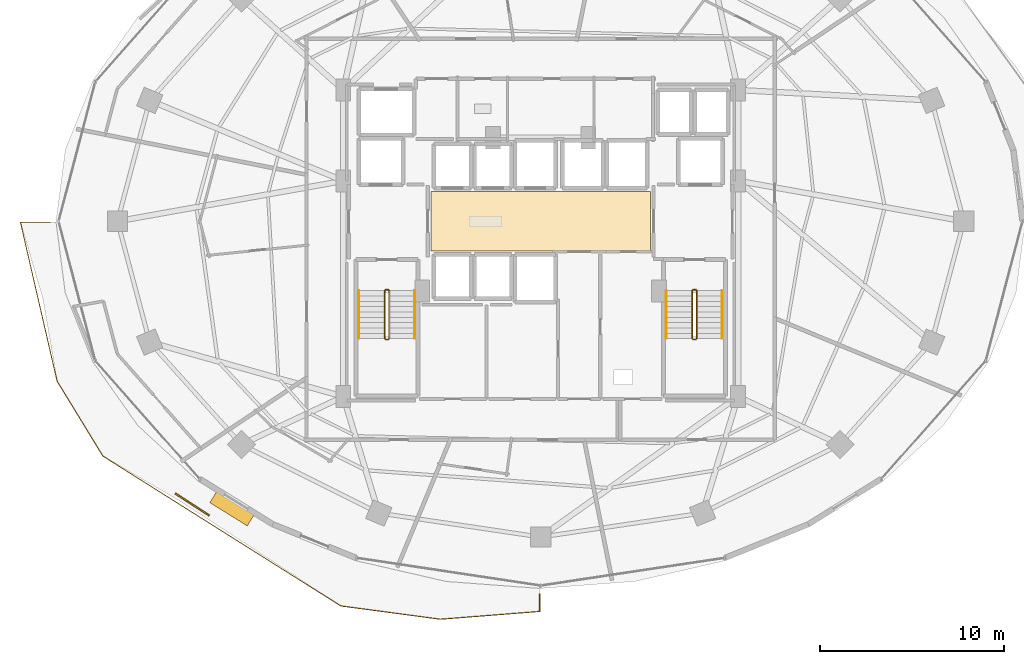
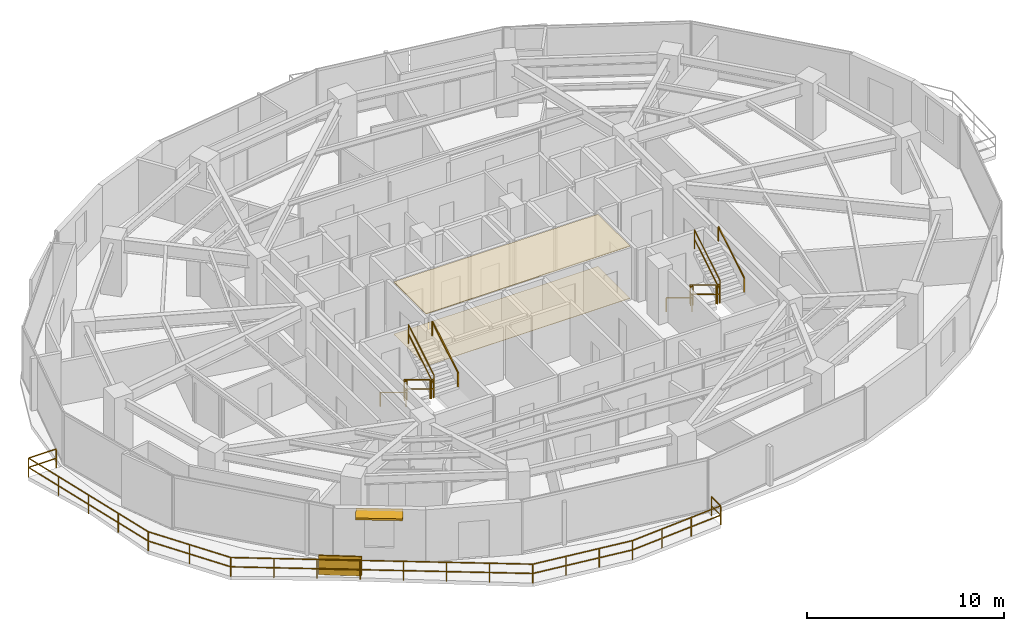
# One storey, part 27 of 29: 14 railings, 2 coverings, 2 shading devices.
"""IFC4 building model written with IfcOpenShell, lengths in metres."""

from ifc_helpers import new_model, si_unit, direction, frame, origin, origin_2d, place, context, subcontext, project, spatial, polyline, rectangle, outline, extrude, material, layer, layer_set, type_object, element, save


model = new_model("IFC4")

# Units and contexts
model_context = context("Model", 3, precision=1e-05, world=origin(), true_north=direction((0.0, 1.0)))
body_context = subcontext(model_context, "Body", "Model", "MODEL_VIEW")
ifc_project = project(units=[si_unit("LENGTHUNIT", "METRE"), si_unit("AREAUNIT", "SQUARE_METRE"), si_unit("VOLUMEUNIT", "CUBIC_METRE"), si_unit("PLANEANGLEUNIT", "RADIAN"), si_unit("MASSUNIT", "GRAM", prefix="KILO")], contexts=[model_context])

# Site, building, storey
site_placement = place(None, origin())
site = spatial("IfcSite", under=ifc_project, at=site_placement, CompositionType="ELEMENT")
building_placement = place(site_placement, origin())
building = spatial("IfcBuilding", under=site, at=building_placement, Name="Vorneva Point Tower", CompositionType="ELEMENT")
storey_placement = place(building_placement, frame((0.0, 0.0, 85.800048828125)))
storey = spatial("IfcBuildingStorey", under=building, at=storey_placement, Name="L22", CompositionType="ELEMENT", Elevation=85.800048828125)

# Coverings
ifc_material_1 = material(Name="Perforated acoustic aluminium baffle ceiling", Category="aluminium")
ifc_layer_1 = layer(ifc_material_1, 0.030029296875)
ifc_layer_set_1 = layer_set([ifc_layer_1], Name="Perforated acoustic aluminium baffle ceiling")
covering_type_1 = type_object("IfcCoveringType", Name="COV-CEIL-BAF", PredefinedType="CEILING", material=ifc_layer_set_1)
covering_1_placement = place(storey_placement, frame((0.0, 0.0, 3.2099609375)))
element("IfcCovering", 1, at=covering_1_placement, inside=storey, type_object=covering_type_1, Name="L22 Lift Lobby Acoustic Baffle Ceiling", PredefinedType="CEILING", context=body_context, shape_type="SweptSolid", body=[
    extrude(outline(polyline([(32.02001953125, 24.3701171875), (43.97998046875, 24.3701171875), (43.97998046875, 27.6298828125), (32.02001953125, 27.6298828125), (32.02001953125, 24.3701171875)])), origin(), (0.0, 0.0, 1.0), 0.034912109375),
])
ifc_material_2 = material(Name="Acoustic wool hospitality carpet", Category="textile")
ifc_layer_2 = layer(ifc_material_2, 0.01806640625)
ifc_layer_set_2 = layer_set([ifc_layer_2], Name="Acoustic wool hospitality carpet")
covering_type_2 = type_object("IfcCoveringType", Name="COV-FLR-CRP", PredefinedType="FLOORING", material=ifc_layer_set_2)
covering_2_placement = place(storey_placement, frame((0.0, 0.0, -0.005126953125)))
element("IfcCovering", 2, at=covering_2_placement, inside=storey, type_object=covering_type_2, Name="L22 Lift Lobby Floor Finish", PredefinedType="FLOORING", context=body_context, shape_type="SweptSolid", body=[
    extrude(outline(polyline([(32.02001953125, 24.3701171875), (43.97998046875, 24.3701171875), (43.97998046875, 27.6298828125), (32.02001953125, 27.6298828125), (32.02001953125, 24.3701171875)])), origin(), (0.0, 0.0, 1.0), 0.023193359375),
])

# Railings
ifc_material_3 = material(Name="Pale anodised aluminium", Category="aluminium")
railing_type_1 = type_object("IfcRailingType", Name="RL-BAL-1200", PredefinedType="BALUSTRADE", material=ifc_material_3)
railing_1_placement = place(storey_placement, frame((37.949951171875, 4.74609375, 0.0)))
element("IfcRailing", 3, at=railing_1_placement, inside=storey, type_object=railing_type_1, Name="L22 Wave Balcony Balustrade SW.1", PredefinedType="BALUSTRADE", context=body_context, shape_type="SweptSolid", body=[
    extrude(rectangle(XDim=0.048095703125, YDim=0.048095703125, at=origin_2d()), frame((0.0, 0.0, 1.17578125), z_axis=(0.0, 1.0, 0.0), x_axis=(-1.0, 0.0, 0.0)), (0.0, 0.0, 1.0), 0.936767578125),
    extrude(rectangle(XDim=0.048095703125, YDim=0.048095703125, at=origin_2d()), frame((0.0, 0.0, 0.60009765625), z_axis=(0.0, 1.0, 0.0), x_axis=(-1.0, 0.0, 0.0)), (0.0, 0.0, 1.0), 0.936767578125),
    extrude(rectangle(XDim=0.0419921875, YDim=0.0419921875, at=origin_2d()), origin(), (0.0, 0.0, 1.0), 1.15185546875),
    extrude(rectangle(XDim=0.0419921875, YDim=0.0419921875, at=origin_2d()), frame((0.0, 0.936767578125, 0.0)), (0.0, 0.0, 1.0), 1.15185546875),
])
railing_2_placement = place(storey_placement, frame((11.28369140625, 25.949951171875, 0.0)))
element("IfcRailing", 4, at=railing_2_placement, inside=storey, type_object=railing_type_1, Name="L22 Wave Balcony Balustrade SW.2", PredefinedType="BALUSTRADE", context=body_context, shape_type="SweptSolid", body=[
    extrude(rectangle(XDim=0.048095703125, YDim=0.048095703125, at=origin_2d()), frame((0.0, 0.0, 1.17578125), z_axis=(-1.0, 0.0, 0.0), x_axis=(0.0, -1.0, 0.0)), (0.0, 0.0, 1.0), 1.619140625),
    extrude(rectangle(XDim=0.048095703125, YDim=0.048095703125, at=origin_2d()), frame((0.0, 0.0, 0.60009765625), z_axis=(-1.0, 0.0, 0.0), x_axis=(0.0, -1.0, 0.0)), (0.0, 0.0, 1.0), 1.619140625),
    extrude(rectangle(XDim=0.048095703125, YDim=0.048095703125, at=origin_2d()), frame((-1.619140625, 0.0, 1.17578125), z_axis=(0.224729212493, -0.974421254413, 0.0), x_axis=(0.974421254413, 0.224729212493, 0.0)), (0.0, 0.0, 1.0), 8.895263671875),
    extrude(rectangle(XDim=0.048095703125, YDim=0.048095703125, at=origin_2d()), frame((-1.619140625, 0.0, 0.60009765625), z_axis=(0.224729212493, -0.974421254413, 0.0), x_axis=(0.974421254413, 0.224729212493, 0.0)), (0.0, 0.0, 1.0), 8.895263671875),
    extrude(rectangle(XDim=0.048095703125, YDim=0.048095703125, at=origin_2d()), frame((0.3798828125, -8.667724609375, 1.17578125), z_axis=(0.521518350517, -0.85324006591, 0.0), x_axis=(0.85324006591, 0.521518350517, 0.0)), (0.0, 0.0, 1.0), 4.768310546875),
    extrude(rectangle(XDim=0.048095703125, YDim=0.048095703125, at=origin_2d()), frame((0.3798828125, -8.667724609375, 0.60009765625), z_axis=(0.521518350517, -0.85324006591, 0.0), x_axis=(0.85324006591, 0.521518350517, 0.0)), (0.0, 0.0, 1.0), 4.768310546875),
    extrude(rectangle(XDim=0.048095703125, YDim=0.048095703125, at=origin_2d()), frame((2.86669921875, -12.736328125, 1.17578125), z_axis=(0.846147977037, -0.532948028382, 0.0), x_axis=(0.532948028382, 0.846147977037, 0.0)), (0.0, 0.0, 1.0), 15.327392578125),
    extrude(rectangle(XDim=0.048095703125, YDim=0.048095703125, at=origin_2d()), frame((2.86669921875, -12.736328125, 0.60009765625), z_axis=(0.846147977037, -0.532948028382, 0.0), x_axis=(0.532948028382, 0.846147977037, 0.0)), (0.0, 0.0, 1.0), 15.327392578125),
    extrude(rectangle(XDim=0.048095703125, YDim=0.048095703125, at=origin_2d()), frame((15.8359375, -20.905029296875, 1.17578125), z_axis=(0.991196282711, -0.132400638746, 0.0), x_axis=(0.132400638746, 0.991196282711, 0.0)), (0.0, 0.0, 1.0), 5.46728515625),
    extrude(rectangle(XDim=0.048095703125, YDim=0.048095703125, at=origin_2d()), frame((15.8359375, -20.905029296875, 0.60009765625), z_axis=(0.991196282711, -0.132400638746, 0.0), x_axis=(0.132400638746, 0.991196282711, 0.0)), (0.0, 0.0, 1.0), 5.46728515625),
    extrude(rectangle(XDim=0.048095703125, YDim=0.048095703125, at=origin_2d()), frame((21.255126953125, -21.62890625, 1.17578125), z_axis=(0.996929089546, 0.078309580622, 0.0), x_axis=(-0.078309580622, 0.996929089546, 0.0)), (0.0, 0.0, 1.0), 5.427734375),
    extrude(rectangle(XDim=0.048095703125, YDim=0.048095703125, at=origin_2d()), frame((21.255126953125, -21.62890625, 0.60009765625), z_axis=(0.996929089546, 0.078309580622, 0.0), x_axis=(-0.078309580622, 0.996929089546, 0.0)), (0.0, 0.0, 1.0), 5.427734375),
    extrude(rectangle(XDim=0.0419921875, YDim=0.0419921875, at=origin_2d()), origin(), (0.0, 0.0, 1.0), 1.15185546875),
    extrude(rectangle(XDim=0.0419921875, YDim=0.0419921875, at=origin_2d()), frame((-1.619140625, 0.0, 0.0)), (0.0, 0.0, 1.0), 1.15185546875),
    extrude(rectangle(XDim=0.0419921875, YDim=0.0419921875, at=origin_2d()), frame((-1.119384765625, -2.1669921875, 0.0)), (0.0, 0.0, 1.0), 1.15185546875),
    extrude(rectangle(XDim=0.0419921875, YDim=0.0419921875, at=origin_2d()), frame((-0.61962890625, -4.333984375, 0.0)), (0.0, 0.0, 1.0), 1.15185546875),
    extrude(rectangle(XDim=0.0419921875, YDim=0.0419921875, at=origin_2d()), frame((-0.119873046875, -6.500732421875, 0.0)), (0.0, 0.0, 1.0), 1.15185546875),
    extrude(rectangle(XDim=0.0419921875, YDim=0.0419921875, at=origin_2d()), frame((0.3798828125, -8.667724609375, 0.0)), (0.0, 0.0, 1.0), 1.15185546875),
    extrude(rectangle(XDim=0.0419921875, YDim=0.0419921875, at=origin_2d()), frame((1.623291015625, -10.7021484375, 0.0)), (0.0, 0.0, 1.0), 1.15185546875),
    extrude(rectangle(XDim=0.0419921875, YDim=0.0419921875, at=origin_2d()), frame((2.86669921875, -12.736328125, 0.0)), (0.0, 0.0, 1.0), 1.15185546875),
    extrude(rectangle(XDim=0.0419921875, YDim=0.0419921875, at=origin_2d()), frame((4.719482421875, -13.9033203125, 0.0)), (0.0, 0.0, 1.0), 1.15185546875),
    extrude(rectangle(XDim=0.0419921875, YDim=0.0419921875, at=origin_2d()), frame((6.572265625, -15.0703125, 0.0)), (0.0, 0.0, 1.0), 1.15185546875),
    extrude(rectangle(XDim=0.0419921875, YDim=0.0419921875, at=origin_2d()), frame((8.425048828125, -16.2373046875, 0.0)), (0.0, 0.0, 1.0), 1.15185546875),
    extrude(rectangle(XDim=0.0419921875, YDim=0.0419921875, at=origin_2d()), frame((10.277587890625, -17.404052734375, 0.0)), (0.0, 0.0, 1.0), 1.15185546875),
    extrude(rectangle(XDim=0.0419921875, YDim=0.0419921875, at=origin_2d()), frame((12.13037109375, -18.571044921875, 0.0)), (0.0, 0.0, 1.0), 1.15185546875),
    extrude(rectangle(XDim=0.0419921875, YDim=0.0419921875, at=origin_2d()), frame((13.983154296875, -19.738037109375, 0.0)), (0.0, 0.0, 1.0), 1.15185546875),
    extrude(rectangle(XDim=0.0419921875, YDim=0.0419921875, at=origin_2d()), frame((15.8359375, -20.905029296875, 0.0)), (0.0, 0.0, 1.0), 1.15185546875),
    extrude(rectangle(XDim=0.0419921875, YDim=0.0419921875, at=origin_2d()), frame((17.642333984375, -21.146240234375, 0.0)), (0.0, 0.0, 1.0), 1.15185546875),
    extrude(rectangle(XDim=0.0419921875, YDim=0.0419921875, at=origin_2d()), frame((19.44873046875, -21.3876953125, 0.0)), (0.0, 0.0, 1.0), 1.15185546875),
    extrude(rectangle(XDim=0.0419921875, YDim=0.0419921875, at=origin_2d()), frame((21.255126953125, -21.62890625, 0.0)), (0.0, 0.0, 1.0), 1.15185546875),
    extrude(rectangle(XDim=0.0419921875, YDim=0.0419921875, at=origin_2d()), frame((23.058837890625, -21.4873046875, 0.0)), (0.0, 0.0, 1.0), 1.15185546875),
    extrude(rectangle(XDim=0.0419921875, YDim=0.0419921875, at=origin_2d()), frame((24.862548828125, -21.345458984375, 0.0)), (0.0, 0.0, 1.0), 1.15185546875),
    extrude(rectangle(XDim=0.0419921875, YDim=0.0419921875, at=origin_2d()), frame((26.666259765625, -21.203857421875, 0.0)), (0.0, 0.0, 1.0), 1.15185546875),
])
ifc_material_4 = material(Name="Brushed stainless steel S304", Category="steel")
railing_type_2 = type_object("IfcRailingType", Name="RL-HND-920", PredefinedType="HANDRAIL", material=ifc_material_4)
railing_3_placement = place(storey_placement, frame((28.10009765625, 22.219970703125, 0.175048828125)))
element("IfcRailing", 5, at=railing_3_placement, inside=storey, type_object=railing_type_2, Name="L22 ST1 stair handrail 1", PredefinedType="HANDRAIL", context=body_context, shape_type="SweptSolid", body=[
    extrude(rectangle(XDim=0.048095703125, YDim=0.048095703125, at=origin_2d()), frame((0.0, 0.0, 0.8759765625), z_axis=(0.0, -0.85618277418, 0.516673066065), x_axis=(1.0, 0.0, 0.0)), (0.0, 0.0, 1.0), 3.04833984375),
    extrude(rectangle(XDim=0.0419921875, YDim=0.0419921875, at=origin_2d()), origin(), (0.0, 0.0, 1.0), 0.851806640625),
    extrude(rectangle(XDim=0.0419921875, YDim=0.0419921875, at=origin_2d()), frame((0.0, -2.60986328125, 1.574951171875)), (0.0, 0.0, 1.0), 0.851806640625),
])
railing_4_placement = place(storey_placement, frame((31.14990234375, 19.610107421875, 1.925048828125)))
element("IfcRailing", 6, at=railing_4_placement, inside=storey, type_object=railing_type_2, Name="L22 ST1 stair handrail 2", PredefinedType="HANDRAIL", context=body_context, shape_type="SweptSolid", body=[
    extrude(rectangle(XDim=0.048095703125, YDim=0.048095703125, at=origin_2d()), frame((0.0, 0.0, 0.8759765625), z_axis=(0.0, 0.85618277418, 0.516673066065), x_axis=(-1.0, 0.0, 0.0)), (0.0, 0.0, 1.0), 3.04833984375),
    extrude(rectangle(XDim=0.0419921875, YDim=0.0419921875, at=origin_2d()), origin(), (0.0, 0.0, 1.0), 0.851806640625),
    extrude(rectangle(XDim=0.0419921875, YDim=0.0419921875, at=origin_2d()), frame((0.0, 2.60986328125, 1.574951171875)), (0.0, 0.0, 1.0), 0.851806640625),
])
railing_5_placement = place(storey_placement, frame((44.85009765625, 22.219970703125, 0.175048828125)))
element("IfcRailing", 7, at=railing_5_placement, inside=storey, type_object=railing_type_2, Name="L22 ST2 stair handrail 1", PredefinedType="HANDRAIL", context=body_context, shape_type="SweptSolid", body=[
    extrude(rectangle(XDim=0.048095703125, YDim=0.048095703125, at=origin_2d()), frame((0.0, 0.0, 0.8759765625), z_axis=(0.0, -0.85618277418, 0.516673066065), x_axis=(1.0, 0.0, 0.0)), (0.0, 0.0, 1.0), 3.04833984375),
    extrude(rectangle(XDim=0.0419921875, YDim=0.0419921875, at=origin_2d()), origin(), (0.0, 0.0, 1.0), 0.851806640625),
    extrude(rectangle(XDim=0.0419921875, YDim=0.0419921875, at=origin_2d()), frame((0.0, -2.60986328125, 1.574951171875)), (0.0, 0.0, 1.0), 0.851806640625),
])
railing_6_placement = place(storey_placement, frame((47.89990234375, 19.610107421875, 1.925048828125)))
element("IfcRailing", 8, at=railing_6_placement, inside=storey, type_object=railing_type_2, Name="L22 ST2 stair handrail 2", PredefinedType="HANDRAIL", context=body_context, shape_type="SweptSolid", body=[
    extrude(rectangle(XDim=0.048095703125, YDim=0.048095703125, at=origin_2d()), frame((0.0, 0.0, 0.8759765625), z_axis=(0.0, 0.85618277418, 0.516673066065), x_axis=(-1.0, 0.0, 0.0)), (0.0, 0.0, 1.0), 3.04833984375),
    extrude(rectangle(XDim=0.0419921875, YDim=0.0419921875, at=origin_2d()), origin(), (0.0, 0.0, 1.0), 0.851806640625),
    extrude(rectangle(XDim=0.0419921875, YDim=0.0419921875, at=origin_2d()), frame((0.0, 2.60986328125, 1.574951171875)), (0.0, 0.0, 1.0), 0.851806640625),
])
railing_type_3 = type_object("IfcRailingType", Name="RL-STG-1100", PredefinedType="GUARDRAIL", material=ifc_material_4)
railing_7_placement = place(storey_placement, frame((29.5, 22.219970703125, 0.175048828125)))
element("IfcRailing", 9, at=railing_7_placement, inside=storey, type_object=railing_type_3, Name="L22 ST1 stair guard 1", PredefinedType="GUARDRAIL", context=body_context, shape_type="SweptSolid", body=[
    extrude(rectangle(XDim=0.048095703125, YDim=0.048095703125, at=origin_2d()), frame((0.0, 0.0, 1.17578125), z_axis=(0.0, -0.85618277418, 0.516673066065), x_axis=(1.0, 0.0, 0.0)), (0.0, 0.0, 1.0), 3.04833984375),
    extrude(rectangle(XDim=0.048095703125, YDim=0.048095703125, at=origin_2d()), frame((0.0, 0.0, 0.60009765625), z_axis=(0.0, -0.85618277418, 0.516673066065), x_axis=(1.0, 0.0, 0.0)), (0.0, 0.0, 1.0), 3.04833984375),
    extrude(rectangle(XDim=0.0419921875, YDim=0.0419921875, at=origin_2d()), origin(), (0.0, 0.0, 1.0), 1.15185546875),
    extrude(rectangle(XDim=0.0419921875, YDim=0.0419921875, at=origin_2d()), frame((0.0, -2.60986328125, 1.574951171875)), (0.0, 0.0, 1.0), 1.15185546875),
])
railing_8_placement = place(storey_placement, frame((29.550048828125, 19.56005859375, 1.75)))
element("IfcRailing", 10, at=railing_8_placement, inside=storey, type_object=railing_type_3, Name="L22 ST1 stair guard 2", PredefinedType="GUARDRAIL", context=body_context, shape_type="SweptSolid", body=[
    extrude(rectangle(XDim=0.048095703125, YDim=0.048095703125, at=origin_2d()), frame((0.0, 0.0, 1.17578125), z_axis=(1.0, 0.0, 0.0), x_axis=(0.0, 1.0, 0.0)), (0.0, 0.0, 1.0), 0.14990234375),
    extrude(rectangle(XDim=0.048095703125, YDim=0.048095703125, at=origin_2d()), frame((0.0, 0.0, 0.60009765625), z_axis=(1.0, 0.0, 0.0), x_axis=(0.0, 1.0, 0.0)), (0.0, 0.0, 1.0), 0.14990234375),
    extrude(rectangle(XDim=0.0419921875, YDim=0.0419921875, at=origin_2d()), origin(), (0.0, 0.0, 1.0), 1.15185546875),
    extrude(rectangle(XDim=0.0419921875, YDim=0.0419921875, at=origin_2d()), frame((0.14990234375, 0.0, 0.0)), (0.0, 0.0, 1.0), 1.15185546875),
])
railing_9_placement = place(storey_placement, frame((29.75, 19.610107421875, 1.925048828125)))
element("IfcRailing", 11, at=railing_9_placement, inside=storey, type_object=railing_type_3, Name="L22 ST1 stair guard 3", PredefinedType="GUARDRAIL", context=body_context, shape_type="SweptSolid", body=[
    extrude(rectangle(XDim=0.048095703125, YDim=0.048095703125, at=origin_2d()), frame((0.0, 0.0, 1.17578125), z_axis=(0.0, 0.85618277418, 0.516673066065), x_axis=(-1.0, 0.0, 0.0)), (0.0, 0.0, 1.0), 3.04833984375),
    extrude(rectangle(XDim=0.048095703125, YDim=0.048095703125, at=origin_2d()), frame((0.0, 0.0, 0.60009765625), z_axis=(0.0, 0.85618277418, 0.516673066065), x_axis=(-1.0, 0.0, 0.0)), (0.0, 0.0, 1.0), 3.04833984375),
    extrude(rectangle(XDim=0.0419921875, YDim=0.0419921875, at=origin_2d()), origin(), (0.0, 0.0, 1.0), 1.15185546875),
    extrude(rectangle(XDim=0.0419921875, YDim=0.0419921875, at=origin_2d()), frame((0.0, 2.60986328125, 1.574951171875)), (0.0, 0.0, 1.0), 1.15185546875),
])
railing_10_placement = place(storey_placement, frame((29.550048828125, 22.27001953125, 0.0)))
element("IfcRailing", 12, at=railing_10_placement, inside=storey, type_object=railing_type_3, Name="L22 ST1 stair guard 4", PredefinedType="GUARDRAIL", context=body_context, shape_type="SweptSolid", body=[
    extrude(rectangle(XDim=0.048095703125, YDim=0.048095703125, at=origin_2d()), frame((0.0, 0.0, 1.17578125), z_axis=(1.0, 0.0, 0.0), x_axis=(0.0, 1.0, 0.0)), (0.0, 0.0, 1.0), 0.14990234375),
    extrude(rectangle(XDim=0.048095703125, YDim=0.048095703125, at=origin_2d()), frame((0.0, 0.0, 0.60009765625), z_axis=(1.0, 0.0, 0.0), x_axis=(0.0, 1.0, 0.0)), (0.0, 0.0, 1.0), 0.14990234375),
    extrude(rectangle(XDim=0.0419921875, YDim=0.0419921875, at=origin_2d()), origin(), (0.0, 0.0, 1.0), 1.15185546875),
    extrude(rectangle(XDim=0.0419921875, YDim=0.0419921875, at=origin_2d()), frame((0.14990234375, 0.0, 0.0)), (0.0, 0.0, 1.0), 1.15185546875),
])
railing_11_placement = place(storey_placement, frame((46.25, 22.219970703125, 0.175048828125)))
element("IfcRailing", 13, at=railing_11_placement, inside=storey, type_object=railing_type_3, Name="L22 ST2 stair guard 1", PredefinedType="GUARDRAIL", context=body_context, shape_type="SweptSolid", body=[
    extrude(rectangle(XDim=0.048095703125, YDim=0.048095703125, at=origin_2d()), frame((0.0, 0.0, 1.17578125), z_axis=(0.0, -0.85618277418, 0.516673066065), x_axis=(1.0, 0.0, 0.0)), (0.0, 0.0, 1.0), 3.04833984375),
    extrude(rectangle(XDim=0.048095703125, YDim=0.048095703125, at=origin_2d()), frame((0.0, 0.0, 0.60009765625), z_axis=(0.0, -0.85618277418, 0.516673066065), x_axis=(1.0, 0.0, 0.0)), (0.0, 0.0, 1.0), 3.04833984375),
    extrude(rectangle(XDim=0.0419921875, YDim=0.0419921875, at=origin_2d()), origin(), (0.0, 0.0, 1.0), 1.15185546875),
    extrude(rectangle(XDim=0.0419921875, YDim=0.0419921875, at=origin_2d()), frame((0.0, -2.60986328125, 1.574951171875)), (0.0, 0.0, 1.0), 1.15185546875),
])
railing_12_placement = place(storey_placement, frame((46.300048828125, 19.56005859375, 1.75)))
element("IfcRailing", 14, at=railing_12_placement, inside=storey, type_object=railing_type_3, Name="L22 ST2 stair guard 2", PredefinedType="GUARDRAIL", context=body_context, shape_type="SweptSolid", body=[
    extrude(rectangle(XDim=0.048095703125, YDim=0.048095703125, at=origin_2d()), frame((0.0, 0.0, 1.17578125), z_axis=(1.0, 0.0, 0.0), x_axis=(0.0, 1.0, 0.0)), (0.0, 0.0, 1.0), 0.14990234375),
    extrude(rectangle(XDim=0.048095703125, YDim=0.048095703125, at=origin_2d()), frame((0.0, 0.0, 0.60009765625), z_axis=(1.0, 0.0, 0.0), x_axis=(0.0, 1.0, 0.0)), (0.0, 0.0, 1.0), 0.14990234375),
    extrude(rectangle(XDim=0.0419921875, YDim=0.0419921875, at=origin_2d()), origin(), (0.0, 0.0, 1.0), 1.15185546875),
    extrude(rectangle(XDim=0.0419921875, YDim=0.0419921875, at=origin_2d()), frame((0.14990234375, 0.0, 0.0)), (0.0, 0.0, 1.0), 1.15185546875),
])
railing_13_placement = place(storey_placement, frame((46.5, 19.610107421875, 1.925048828125)))
element("IfcRailing", 15, at=railing_13_placement, inside=storey, type_object=railing_type_3, Name="L22 ST2 stair guard 3", PredefinedType="GUARDRAIL", context=body_context, shape_type="SweptSolid", body=[
    extrude(rectangle(XDim=0.048095703125, YDim=0.048095703125, at=origin_2d()), frame((0.0, 0.0, 1.17578125), z_axis=(0.0, 0.85618277418, 0.516673066065), x_axis=(-1.0, 0.0, 0.0)), (0.0, 0.0, 1.0), 3.04833984375),
    extrude(rectangle(XDim=0.048095703125, YDim=0.048095703125, at=origin_2d()), frame((0.0, 0.0, 0.60009765625), z_axis=(0.0, 0.85618277418, 0.516673066065), x_axis=(-1.0, 0.0, 0.0)), (0.0, 0.0, 1.0), 3.04833984375),
    extrude(rectangle(XDim=0.0419921875, YDim=0.0419921875, at=origin_2d()), origin(), (0.0, 0.0, 1.0), 1.15185546875),
    extrude(rectangle(XDim=0.0419921875, YDim=0.0419921875, at=origin_2d()), frame((0.0, 2.60986328125, 1.574951171875)), (0.0, 0.0, 1.0), 1.15185546875),
])
railing_14_placement = place(storey_placement, frame((46.300048828125, 22.27001953125, 0.0)))
element("IfcRailing", 16, at=railing_14_placement, inside=storey, type_object=railing_type_3, Name="L22 ST2 stair guard 4", PredefinedType="GUARDRAIL", context=body_context, shape_type="SweptSolid", body=[
    extrude(rectangle(XDim=0.048095703125, YDim=0.048095703125, at=origin_2d()), frame((0.0, 0.0, 1.17578125), z_axis=(1.0, 0.0, 0.0), x_axis=(0.0, 1.0, 0.0)), (0.0, 0.0, 1.0), 0.14990234375),
    extrude(rectangle(XDim=0.048095703125, YDim=0.048095703125, at=origin_2d()), frame((0.0, 0.0, 0.60009765625), z_axis=(1.0, 0.0, 0.0), x_axis=(0.0, 1.0, 0.0)), (0.0, 0.0, 1.0), 0.14990234375),
    extrude(rectangle(XDim=0.0419921875, YDim=0.0419921875, at=origin_2d()), origin(), (0.0, 0.0, 1.0), 1.15185546875),
    extrude(rectangle(XDim=0.0419921875, YDim=0.0419921875, at=origin_2d()), frame((0.14990234375, 0.0, 0.0)), (0.0, 0.0, 1.0), 1.15185546875),
])

# Shading devices
shading_device_type_1 = type_object("IfcShadingDeviceType", Name="SHD-AWN-900", PredefinedType="AWNING", material=ifc_material_3)
shading_device_1_placement = place(storey_placement, frame((21.237548828125, 10.423583984375, 3.0), z_axis=(0.0, 0.0, 1.0), x_axis=(0.849681090902, -0.527296921823, 0.0)))
element("IfcShadingDevice", 17, at=shading_device_1_placement, inside=storey, type_object=shading_device_type_1, Name="L22 Pale-Aluminium Brise-Soleil Awning 11", PredefinedType="AWNING", context=body_context, shape_type="SweptSolid", body=[
    extrude(rectangle(XDim=2.39990234375, YDim=0.89990234375, at=origin_2d()), origin(), (0.0, 0.0, 1.0), 0.1201171875),
])
shading_device_type_2 = type_object("IfcShadingDeviceType", Name="SHD-JAL-1200", PredefinedType="JALOUSIE", material=ifc_material_3)
shading_device_2_placement = place(storey_placement, frame((19.026611328125, 10.57470703125, -0.02001953125), z_axis=(0.0, 0.0, 1.0), x_axis=(0.837785429309, -0.54599961029, 0.0)))
element("IfcShadingDevice", 18, at=shading_device_2_placement, inside=storey, type_object=shading_device_type_2, Name="L22 Balcony Vertical-Greenery Planter Screen SW.2", PredefinedType="JALOUSIE", context=body_context, shape_type="SweptSolid", body=[
    extrude(rectangle(XDim=2.199951171875, YDim=0.080078125, at=origin_2d()), origin(), (0.0, 0.0, 1.0), 1.199951171875),
])

save(model, "model.ifc")
